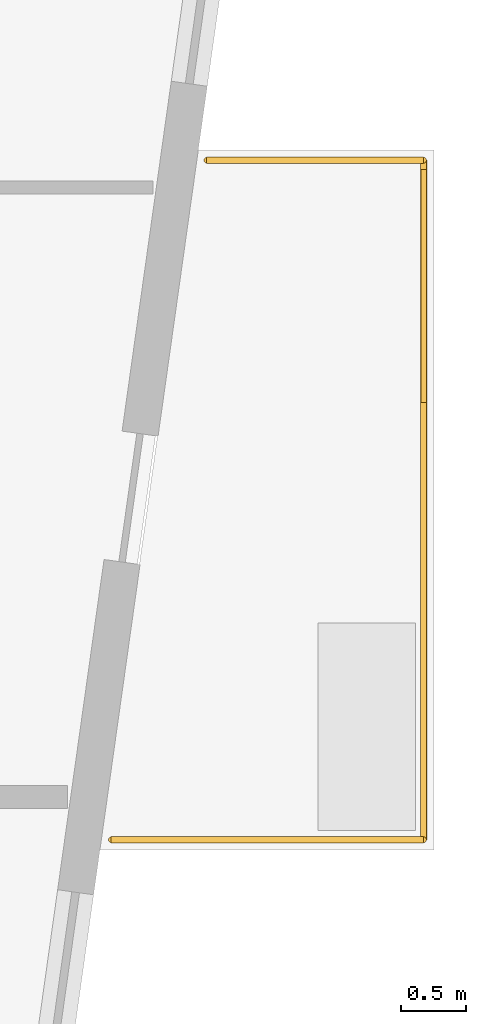
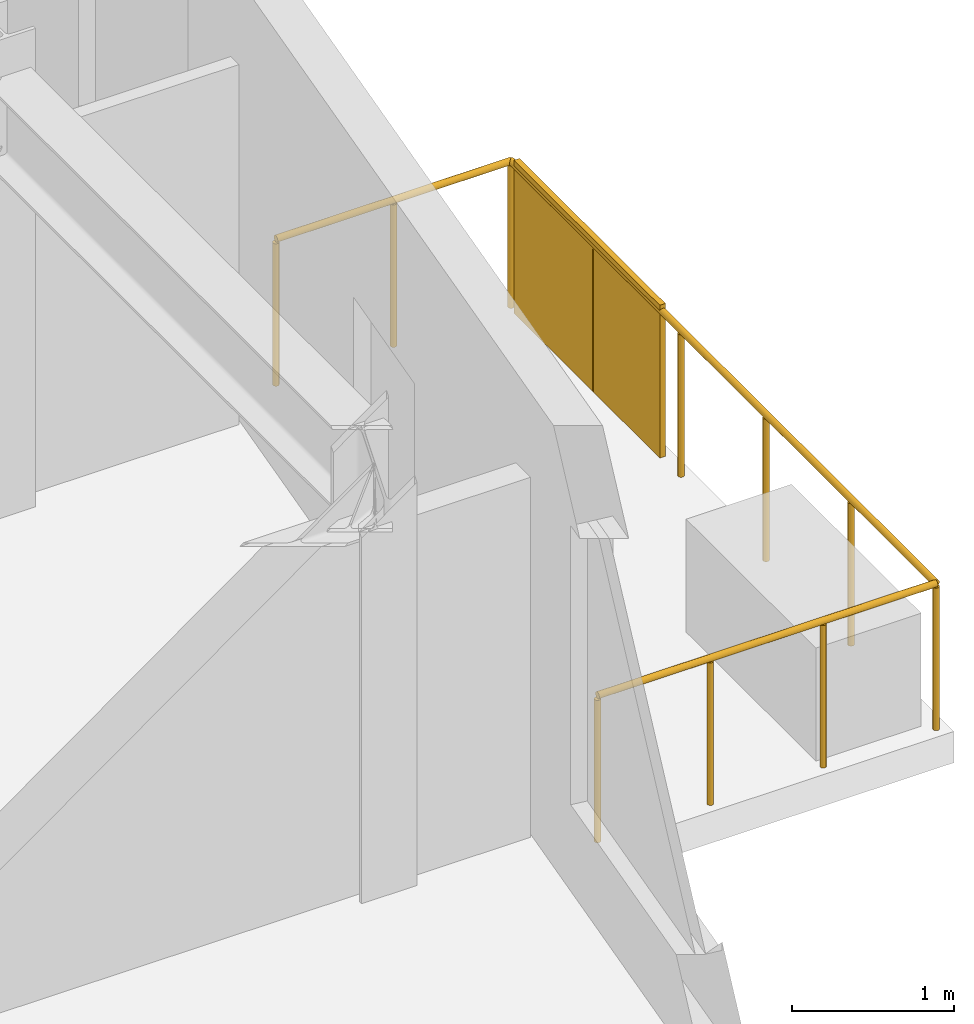
# One storey, part 16 of 16: 3 railings, 1 shading device.
"""IFC4 building model written with IfcOpenShell, lengths in metres."""

from ifc_helpers import new_model, si_unit, direction, frame, origin, origin_2d, place, context, subcontext, project, spatial, rectangle, circle, extrude, material, layer, layer_set, type_object, element, save


model = new_model("IFC4")

# Units and contexts
model_context = context("Model", 3, precision=1e-05, world=origin(), true_north=direction((0.0, 1.0)))
body_context = subcontext(model_context, "Body", "Model", "MODEL_VIEW")
ifc_project = project(units=[si_unit("LENGTHUNIT", "METRE"), si_unit("AREAUNIT", "SQUARE_METRE"), si_unit("VOLUMEUNIT", "CUBIC_METRE"), si_unit("PLANEANGLEUNIT", "RADIAN"), si_unit("MASSUNIT", "GRAM", prefix="KILO")], contexts=[model_context])

# Site, building, storey
site_placement = place(None, origin())
site = spatial("IfcSite", under=ifc_project, at=site_placement, CompositionType="ELEMENT")
building_placement = place(site_placement, origin())
building = spatial("IfcBuilding", under=site, at=building_placement, Name="Kravanh Interchange Tower", CompositionType="ELEMENT")
storey_placement = place(building_placement, frame((0.0, 0.0, 307.5)))
storey = spatial("IfcBuildingStorey", under=building, at=storey_placement, Name="L76", CompositionType="ELEMENT", Elevation=307.5)

# Shading device
ifc_material_1 = material(Name="Perforated Anodised Bronze Aluminium", Category="aluminium")
ifc_layer_1 = layer(ifc_material_1, 0.0400390625)
ifc_layer_set_1 = layer_set([ifc_layer_1], Name="Perforated Bronze Balcony Privacy Screen 1150mm")
shading_device_type = type_object("IfcShadingDeviceType", Name="Perforated Bronze Balcony Privacy Screen 1150mm", PredefinedType="USERDEFINED", material=ifc_layer_set_1)
shading_device_placement = place(storey_placement, frame((69.409912109375, 30.739990234375, 0.0), z_axis=(0.0, 0.0, 1.0), x_axis=(1.0, 0.0, 0.0)))
element("IfcShadingDevice", 1, at=shading_device_placement, inside=storey, type_object=shading_device_type, Name="L76 E Perforated Bronze BALCONY SCREEN", ObjectType="SCREEN", PredefinedType="USERDEFINED", context=body_context, shape_type="SweptSolid", body=[
    extrude(rectangle(XDim=0.0400390625, YDim=1.800048828125, at=origin_2d()), origin(), (0.0, 0.0, 1.0), 1.14990234375),
])

# Railings
ifc_material_2 = material(Name="Stainless Steel 316", Category="steel")
ifc_layer_2 = layer(ifc_material_2, 0.06005859375)
ifc_layer_set_2 = layer_set([ifc_layer_2], Name="Perimeter Balcony and Terrace Guardrail Stainless 316 1120mm")
railing_type = type_object("IfcRailingType", Name="Perimeter Balcony and Terrace Guardrail Stainless 316 1120mm", PredefinedType="GUARDRAIL", material=ifc_layer_set_2)
railing_1_placement = place(storey_placement, frame((69.409912109375, 31.7099609375, 0.0)))
element("IfcRailing", 2, at=railing_1_placement, inside=storey, type_object=railing_type, Name="L76 E Balcony Guardrail 1", PredefinedType="GUARDRAIL", context=body_context, shape_type="SweptSolid", body=[
    extrude(circle(Radius=0.02392578125, at=origin_2d()), frame((0.0, 0.0, 1.09619140625), z_axis=(0.0, -1.0, 0.0), x_axis=(1.0, 0.0, 0.0)), (0.0, 0.0, 1.0), 5.239990234375),
    extrude(circle(Radius=0.02099609375, at=origin_2d()), origin(), (0.0, 0.0, 1.0), 1.072021484375),
    extrude(circle(Radius=0.02099609375, at=origin_2d()), frame((0.0, -1.048095703125, 0.0)), (0.0, 0.0, 1.0), 1.072021484375),
    extrude(circle(Radius=0.02099609375, at=origin_2d()), frame((0.0, -2.095947265625, 0.0)), (0.0, 0.0, 1.0), 1.072021484375),
    extrude(circle(Radius=0.02099609375, at=origin_2d()), frame((0.0, -3.14404296875, 0.0)), (0.0, 0.0, 1.0), 1.072021484375),
    extrude(circle(Radius=0.02099609375, at=origin_2d()), frame((0.0, -4.19189453125, 0.0)), (0.0, 0.0, 1.0), 1.072021484375),
    extrude(circle(Radius=0.02099609375, at=origin_2d()), frame((0.0, -5.239990234375, 0.0)), (0.0, 0.0, 1.0), 1.072021484375),
])
railing_2_placement = place(storey_placement, frame((69.409912109375, 26.469970703125, 0.0)))
element("IfcRailing", 3, at=railing_2_placement, inside=storey, type_object=railing_type, Name="L76 E Balcony Guardrail 2", PredefinedType="GUARDRAIL", context=body_context, shape_type="SweptSolid", body=[
    extrude(circle(Radius=0.02392578125, at=origin_2d()), frame((0.0, 0.0, 1.09619140625), z_axis=(-1.0, 0.0, 0.0), x_axis=(0.0, -1.0, 0.0)), (0.0, 0.0, 1.0), 2.41015625),
    extrude(circle(Radius=0.02099609375, at=origin_2d()), origin(), (0.0, 0.0, 1.0), 1.072021484375),
    extrude(circle(Radius=0.02099609375, at=origin_2d()), frame((-0.803466796875, 0.0, 0.0)), (0.0, 0.0, 1.0), 1.072021484375),
    extrude(circle(Radius=0.02099609375, at=origin_2d()), frame((-1.606689453125, 0.0, 0.0)), (0.0, 0.0, 1.0), 1.072021484375),
    extrude(circle(Radius=0.02099609375, at=origin_2d()), frame((-2.41015625, 0.0, 0.0)), (0.0, 0.0, 1.0), 1.072021484375),
])
railing_3_placement = place(storey_placement, frame((67.736083984375, 31.7099609375, 0.0)))
element("IfcRailing", 4, at=railing_3_placement, inside=storey, type_object=railing_type, Name="L76 E Balcony Guardrail 3", PredefinedType="GUARDRAIL", context=body_context, shape_type="SweptSolid", body=[
    extrude(circle(Radius=0.02392578125, at=origin_2d()), frame((0.0, 0.0, 1.09619140625), z_axis=(1.0, 0.0, 0.0), x_axis=(0.0, 1.0, 0.0)), (0.0, 0.0, 1.0), 1.673828125),
    extrude(circle(Radius=0.02099609375, at=origin_2d()), origin(), (0.0, 0.0, 1.0), 1.072021484375),
    extrude(circle(Radius=0.02099609375, at=origin_2d()), frame((0.8369140625, 0.0, 0.0)), (0.0, 0.0, 1.0), 1.072021484375),
    extrude(circle(Radius=0.02099609375, at=origin_2d()), frame((1.673828125, 0.0, 0.0)), (0.0, 0.0, 1.0), 1.072021484375),
])

save(model, "model.ifc")
